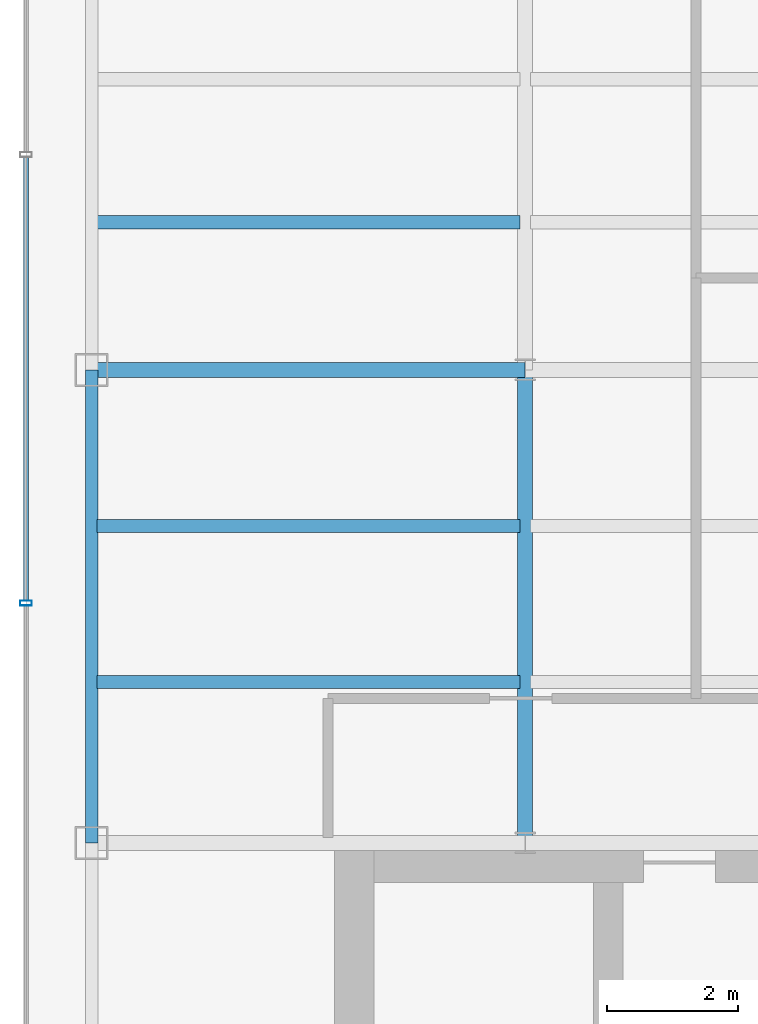
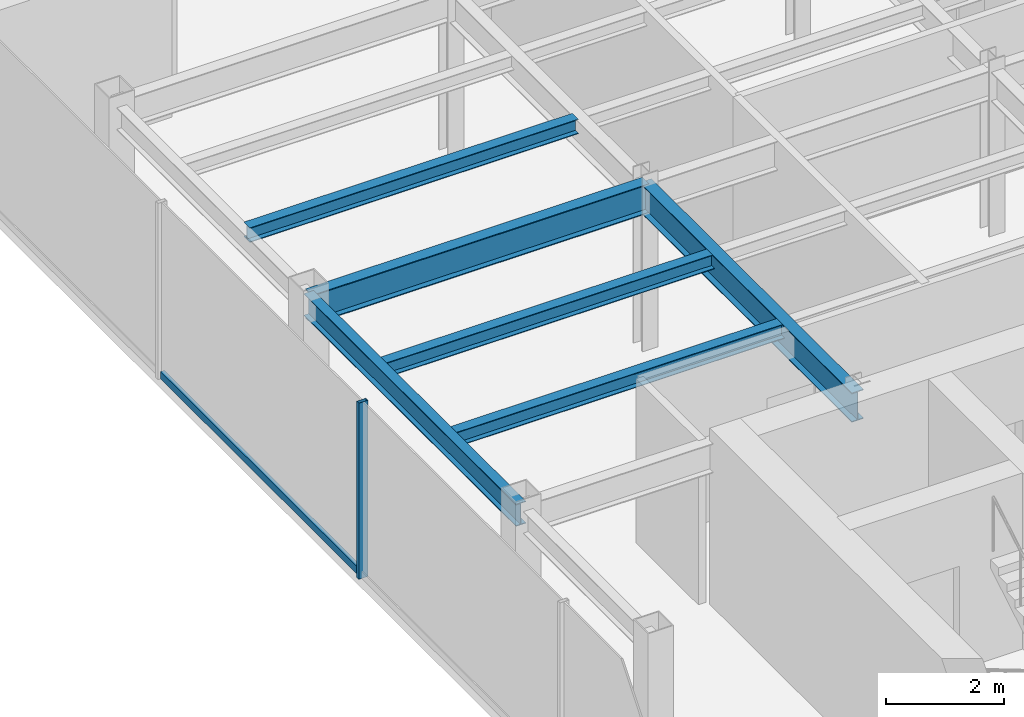
# One storey, part 5 of 22: 6 beams, 2 members, 1 element without a shape of its own.
"""IFC4 building model written with IfcOpenShell, lengths in metres."""

from ifc_helpers import new_model, si_unit, derived_unit, direction, frame, origin, origin_2d, place, context, subcontext, project, spatial, hollow_rectangle, i_section, extrude, source, transform, mapped, material, material_profile, profile_set, type_object, element, aggregate, save


model = new_model("IFC4")

# Units and contexts
model_context = context("Model", 3, precision=1e-05, world=origin(), true_north=direction((0.0, 1.0)))
body_context = subcontext(model_context, "Body", "Model", "MODEL_VIEW")
ifc_project = project(units=[si_unit("LENGTHUNIT", "METRE"), si_unit("AREAUNIT", "SQUARE_METRE"), si_unit("VOLUMEUNIT", "CUBIC_METRE"), si_unit("PLANEANGLEUNIT", "RADIAN"), si_unit("MASSUNIT", "GRAM", prefix="KILO"), derived_unit("THERMALTRANSMITTANCEUNIT", [(si_unit("POWERUNIT", "WATT"), 1), (si_unit("LENGTHUNIT", "METRE"), -2), (si_unit("THERMODYNAMICTEMPERATUREUNIT", "KELVIN"), -1)])], contexts=[model_context])

# Site, building, storey
site_placement = place(None, origin())
site = spatial("IfcSite", under=ifc_project, at=site_placement, CompositionType="ELEMENT")
building_placement = place(site_placement, origin())
building = spatial("IfcBuilding", under=site, at=building_placement, Name="Skarnbrae Concourse Arena and Tower", CompositionType="ELEMENT")
storey_placement = place(building_placement, frame((0.0, 0.0, 247.85009765625)))
storey = spatial("IfcBuildingStorey", under=building, at=storey_placement, Name="L64", CompositionType="ELEMENT", Elevation=247.85009765625)

# Beams
ifc_material_1 = material(Name="Steel CSA G40.21 350W", Category="steel")
ifc_material_profile_1 = material_profile(ifc_material_1, i_section(OverallWidth=0.22802734375, OverallDepth=0.60791015625, WebThickness=0.01123046875, FlangeThickness=0.017333984375, at=origin_2d()), Name="W610X113")
ifc_profile_set_1 = profile_set([ifc_material_profile_1], Name="Steel CSA G40.21 350W")
beam_type_1 = type_object("IfcBeamType", Name="BM-GIRD-W610X113", PredefinedType="BEAM", material=ifc_profile_set_1)
shared_shape_1 = source(origin(), body_context, "Body", "SweptSolid", [
    extrude(i_section(OverallWidth=0.22802734375, OverallDepth=0.60791015625, WebThickness=0.01123046875, FlangeThickness=0.017333984375, at=origin_2d()), origin(), (0.0, 0.0, 1.0), 6.60009765625),
])
beam_1_placement = place(storey_placement, frame((1.0, 21.199951171875, 3.095947265625), z_axis=(1.0, 0.0, 0.0), x_axis=(0.0, 1.0, 0.0)))
element("IfcBeam", 1, at=beam_1_placement, inside=storey, type_object=beam_type_1, Name="L64 Primary E-W girder Y21.2-1", PredefinedType="BEAM", context=body_context, shape_type="MappedRepresentation", body=[
    mapped(shared_shape_1, transform((0.0, 0.0, 0.0))),
])
ifc_material_profile_2 = material_profile(ifc_material_1, i_section(OverallWidth=0.19091796875, OverallDepth=0.4599609375, WebThickness=0.010009765625, FlangeThickness=0.01611328125, at=origin_2d()), Name="W460X82")
ifc_profile_set_2 = profile_set([ifc_material_profile_2], Name="Steel CSA G40.21 350W")
beam_type_2 = type_object("IfcBeamType", Name="BM-SPAN-W460X82", PredefinedType="SPANDREL", material=ifc_profile_set_2)
shared_shape_2 = source(origin(), body_context, "Body", "SweptSolid", [
    extrude(i_section(OverallWidth=0.19091796875, OverallDepth=0.4599609375, WebThickness=0.010009765625, FlangeThickness=0.01611328125, at=origin_2d()), origin(), (0.0, 0.0, 1.0), 7.199951171875),
])
beam_2_placement = place(storey_placement, frame((1.0, 14.0, 3.169921875), z_axis=(0.0, 1.0, 0.0), x_axis=(-1.0, 0.0, 0.0)))
element("IfcBeam", 2, at=beam_2_placement, inside=storey, type_object=beam_type_2, Name="L64 Perimeter spandrel X1.0-2", PredefinedType="SPANDREL", context=body_context, shape_type="MappedRepresentation", body=[
    mapped(shared_shape_2, transform((0.0, 0.0, 0.0))),
])
shared_shape_3 = source(origin(), body_context, "Body", "SweptSolid", [
    extrude(i_section(OverallWidth=0.22802734375, OverallDepth=0.60791015625, WebThickness=0.01123046875, FlangeThickness=0.017333984375, at=origin_2d()), origin(), (0.0, 0.0, 1.0), 7.199951171875),
])
beam_3_placement = place(storey_placement, frame((7.60009765625, 14.0, 3.095947265625), z_axis=(0.0, 1.0, 0.0), x_axis=(-1.0, 0.0, 0.0)))
element("IfcBeam", 3, at=beam_3_placement, inside=storey, type_object=beam_type_1, Name="L64 Primary N-S girder X7.6-1", PredefinedType="BEAM", context=body_context, shape_type="MappedRepresentation", body=[
    mapped(shared_shape_3, transform((0.0, 0.0, 0.0))),
])
ifc_material_profile_3 = material_profile(ifc_material_1, i_section(OverallWidth=0.202880859375, OverallDepth=0.302978515625, WebThickness=0.007568359375, FlangeThickness=0.01318359375, at=origin_2d()), Name="W310X60")
ifc_profile_set_3 = profile_set([ifc_material_profile_3], Name="Steel CSA G40.21 350W")
beam_type_3 = type_object("IfcBeamType", Name="BM-JOIST-W310X60", PredefinedType="JOIST", material=ifc_profile_set_3)
shared_shape_4 = source(origin(), body_context, "Body", "SweptSolid", [
    extrude(i_section(OverallWidth=0.202880859375, OverallDepth=0.302978515625, WebThickness=0.007568359375, FlangeThickness=0.01318359375, at=origin_2d()), origin(), (0.0, 0.0, 1.0), 6.43994140625),
])
for number, where, z_axis, x_axis, name in (
    (4, (1.080078125, 16.447998046875, 3.248291015625), (1.0, 0.0, 0.0), (0.0, 1.0, 0.0), "L64 Secondary floor joist 1.1.1"),
    (5, (1.080078125, 18.823974609375, 3.248291015625), (1.0, 0.0, 0.0), (0.0, 1.0, 0.0), "L64 Secondary floor joist 1.2.1"),
    (6, (1.080078125, 23.444091796875, 3.248291015625), (1.0, 0.0, 0.0), (0.0, 1.0, 0.0), "L64 Secondary floor joist 2.1.1"),
):
    element("IfcBeam", number, at=place(storey_placement, frame(where, z_axis=z_axis, x_axis=x_axis)), inside=storey, type_object=beam_type_3, Name=name, PredefinedType="JOIST", context=body_context, shape_type="MappedRepresentation", body=[
        mapped(shared_shape_4, transform((0.0, 0.0, 0.0))),
    ])

# Curtain wall, members
ifc_material_2 = material(Name="Bronze anodised aluminium 6063-T6", Category="aluminium")
curtain_wall_type = type_object("IfcCurtainWallType", Name="CW-SYS-05-HIGHZONE", PredefinedType="USERDEFINED", material=ifc_material_2)
curtain_wall_placement = place(storey_placement, origin())
curtain_wall = element("IfcCurtainWall", 7, at=curtain_wall_placement, inside=storey, type_object=curtain_wall_type, Name="L64 Unitised curtain wall CW-L64-E18", ObjectType="UNITISED CURTAIN WALL", PredefinedType="USERDEFINED")
ifc_material_profile_4 = material_profile(ifc_material_2, hollow_rectangle(XDim=0.074951171875, YDim=0.179931640625, WallThickness=0.00390625, at=origin_2d()), Name="ALU-MULL-75X180")
ifc_profile_set_4 = profile_set([ifc_material_profile_4], Name="Bronze anodised aluminium 6063-T6")
member_type_1 = type_object("IfcMemberType", Name="CWM-CW-05", PredefinedType="MULLION", material=ifc_profile_set_4)
shared_shape_5 = source(origin(), body_context, "Body", "SweptSolid", [
    extrude(hollow_rectangle(XDim=0.074951171875, YDim=0.179931640625, WallThickness=0.00390625, at=origin_2d()), origin(), (0.0, 0.0, 1.0), 3.64990234375),
])
member_1_placement = place(storey_placement, frame((0.0, 17.64990234375, 0.0), z_axis=(0.0, 0.0, 1.0), x_axis=(0.0, -1.0, 0.0)))
member_1 = element("IfcMember", 8, at=member_1_placement, type_object=member_type_1, Name="CW-L64-E18 Mullion 3", PredefinedType="MULLION", context=body_context, shape_type="MappedRepresentation", body=[
    mapped(shared_shape_5, transform((0.0, 0.0, 0.0))),
])
ifc_material_profile_5 = material_profile(ifc_material_2, hollow_rectangle(XDim=0.074951171875, YDim=0.14990234375, WallThickness=0.00390625, at=origin_2d()), Name="ALU-TRAN-75X150")
ifc_profile_set_5 = profile_set([ifc_material_profile_5], Name="Bronze anodised aluminium 6063-T6")
member_type_2 = type_object("IfcMemberType", Name="CWT-CW-05", PredefinedType="USERDEFINED", material=ifc_profile_set_5)
shared_shape_6 = source(origin(), body_context, "Body", "SweptSolid", [
    extrude(hollow_rectangle(XDim=0.074951171875, YDim=0.14990234375, WallThickness=0.00390625, at=origin_2d()), origin(), (0.0, 0.0, 1.0), 6.75),
])
member_2_placement = place(storey_placement, frame((0.0, 24.4375, 0.074951171875), z_axis=(0.0, -1.0, 0.0), x_axis=(1.0, 0.0, 0.0)))
member_2 = element("IfcMember", 9, at=member_2_placement, type_object=member_type_2, Name="CW-L64-E18 Transom 2", ObjectType="TRANSOM", PredefinedType="USERDEFINED", context=body_context, shape_type="MappedRepresentation", body=[
    mapped(shared_shape_6, transform((0.0, 0.0, 0.0))),
])
aggregate(curtain_wall, [member_1, member_2])

save(model, "model.ifc")
